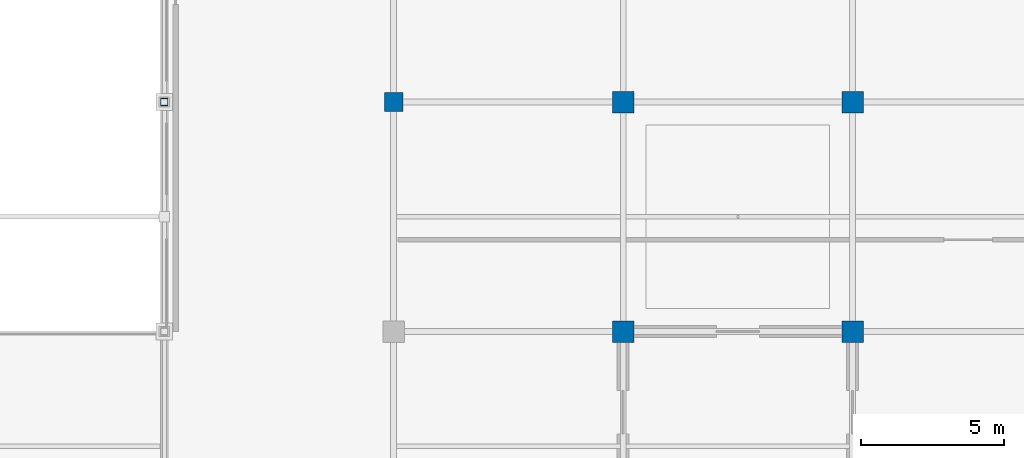
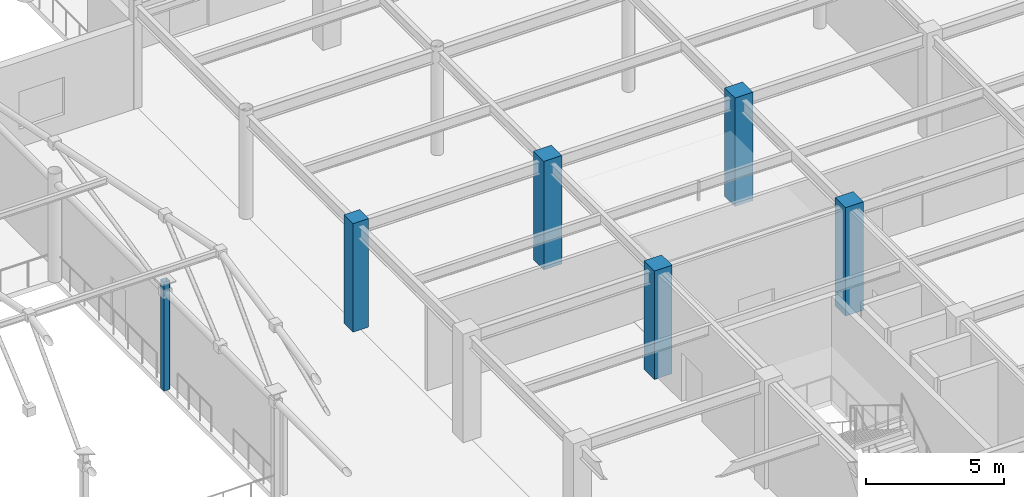
# One storey, part 5 of 117: 6 columns.
"""IFC4 building model written with IfcOpenShell, lengths in metres."""

from ifc_helpers import new_model, si_unit, direction, frame, origin, origin_2d, place, context, subcontext, project, spatial, rectangle, hollow_rectangle, extrude, material, material_profile, profile_set, type_object, element, save


model = new_model("IFC4")

# Units and contexts
model_context = context("Model", 3, precision=1e-05, world=origin(), true_north=direction((0.0, 1.0)))
body_context = subcontext(model_context, "Body", "Model", "MODEL_VIEW")
ifc_project = project(units=[si_unit("LENGTHUNIT", "METRE"), si_unit("AREAUNIT", "SQUARE_METRE"), si_unit("VOLUMEUNIT", "CUBIC_METRE"), si_unit("PLANEANGLEUNIT", "RADIAN"), si_unit("MASSUNIT", "GRAM", prefix="KILO")], contexts=[model_context])

# Site, building, storey
site_placement = place(None, origin())
site = spatial("IfcSite", under=ifc_project, at=site_placement, CompositionType="ELEMENT")
building_placement = place(site_placement, origin())
building = spatial("IfcBuilding", under=site, at=building_placement, Name="Solmirada Galleria", CompositionType="ELEMENT")
storey_placement = place(building_placement, frame((0.0, 0.0, 5.60009765625)))
storey = spatial("IfcBuildingStorey", under=building, at=storey_placement, Name="L01", CompositionType="ELEMENT", Elevation=5.60009765625)

# Columns
ifc_material_1 = material(Name="Steel S355 / ASTM A500 Grade C", Category="steel")
ifc_material_profile_1 = material_profile(ifc_material_1, hollow_rectangle(XDim=0.25390625, YDim=0.25390625, WallThickness=0.0087890625, InnerFilletRadius=0.0087890625, OuterFilletRadius=0.017822265625, at=origin_2d()), Name="HSS10X10X3/8")
ifc_profile_set_1 = profile_set([ifc_material_profile_1], Name="Steel S355 / ASTM A500 Grade C")
column_type_1 = type_object("IfcColumnType", Name="COL-HSS10", PredefinedType="COLUMN", material=ifc_profile_set_1)
column_1_placement = place(storey_placement, frame((72.0, 24.0, 0.0), z_axis=(0.0, 0.0, 1.0), x_axis=(1.0, 0.0, 0.0)))
element("IfcColumn", 1, at=column_1_placement, inside=storey, type_object=column_type_1, Name="Structural column L01-0289", PredefinedType="COLUMN", context=body_context, shape_type="SweptSolid", body=[
    extrude(hollow_rectangle(XDim=0.25390625, YDim=0.25390625, WallThickness=0.0087890625, InnerFilletRadius=0.0087890625, OuterFilletRadius=0.017822265625, at=origin_2d()), origin(), (0.0, 0.0, 1.0), 4.7998046875),
])
ifc_material_2 = material(Name="Concrete C40/50", Category="concrete")
ifc_material_profile_2 = material_profile(ifc_material_2, rectangle(XDim=0.64990234375, YDim=0.64990234375, at=origin_2d()), Name="RC650X650")
ifc_profile_set_2 = profile_set([ifc_material_profile_2], Name="Concrete C40/50")
column_type_2 = type_object("IfcColumnType", Name="COL-RC650", PredefinedType="COLUMN", material=ifc_profile_set_2)
column_2_placement = place(storey_placement, frame((80.0, 24.0, 0.0), z_axis=(0.0, 0.0, 1.0), x_axis=(1.0, 0.0, 0.0)))
element("IfcColumn", 2, at=column_2_placement, inside=storey, type_object=column_type_2, Name="Structural column L01-0371", PredefinedType="COLUMN", context=body_context, shape_type="SweptSolid", body=[
    extrude(rectangle(XDim=0.64990234375, YDim=0.64990234375, at=origin_2d()), origin(), (0.0, 0.0, 1.0), 4.7998046875),
])
ifc_material_profile_3 = material_profile(ifc_material_2, rectangle(XDim=0.75, YDim=0.75, at=origin_2d()), Name="RC750X750")
ifc_profile_set_3 = profile_set([ifc_material_profile_3], Name="Concrete C40/50")
column_type_3 = type_object("IfcColumnType", Name="COL-RC750", PredefinedType="COLUMN", material=ifc_profile_set_3)
for number, where, z_axis, x_axis, name in (
    (3, (88.0, 16.0, 0.0), (0.0, 0.0, 1.0), (1.0, 0.0, 0.0), "Structural column L01-0480"),
    (4, (88.0, 24.0, 0.0), (0.0, 0.0, 1.0), (1.0, 0.0, 0.0), "Structural column L01-0488"),
    (5, (96.0, 16.0, 0.0), (0.0, 0.0, 1.0), (1.0, 0.0, 0.0), "Structural column L01-0602"),
    (6, (96.0, 24.0, 0.0), (0.0, 0.0, 1.0), (1.0, 0.0, 0.0), "Structural column L01-0610"),
):
    element("IfcColumn", number, at=place(storey_placement, frame(where, z_axis=z_axis, x_axis=x_axis)), inside=storey, type_object=column_type_3, Name=name, PredefinedType="COLUMN", context=body_context, shape_type="SweptSolid", body=[
        extrude(rectangle(XDim=0.75, YDim=0.75, at=origin_2d()), origin(), (0.0, 0.0, 1.0), 4.7998046875),
    ])

save(model, "model.ifc")
